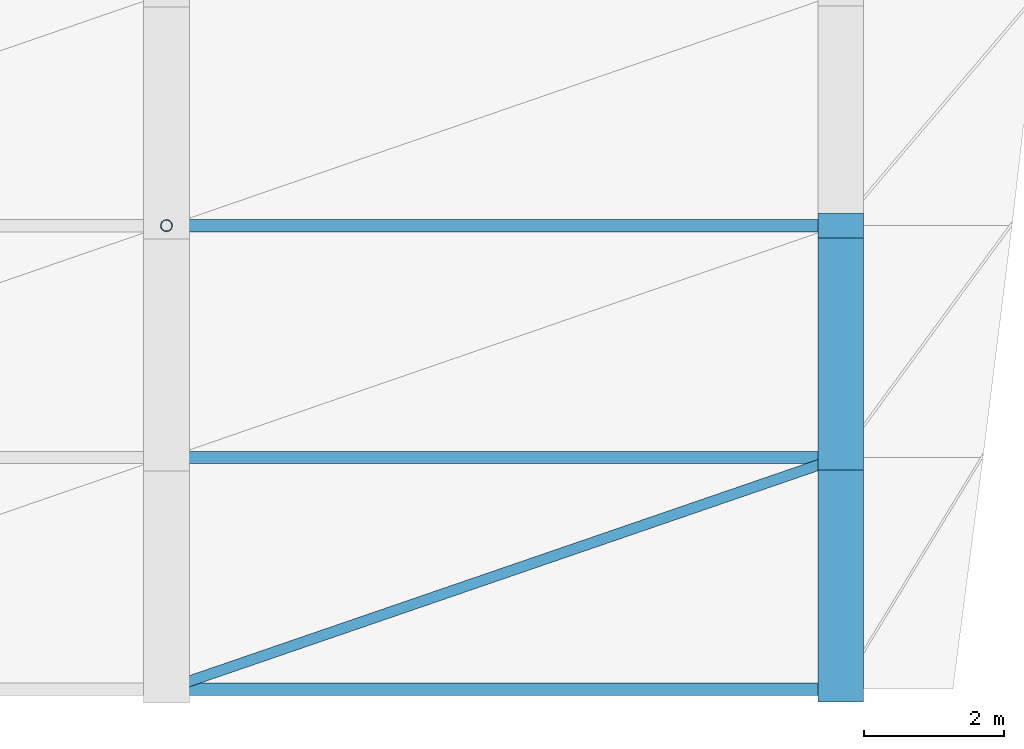
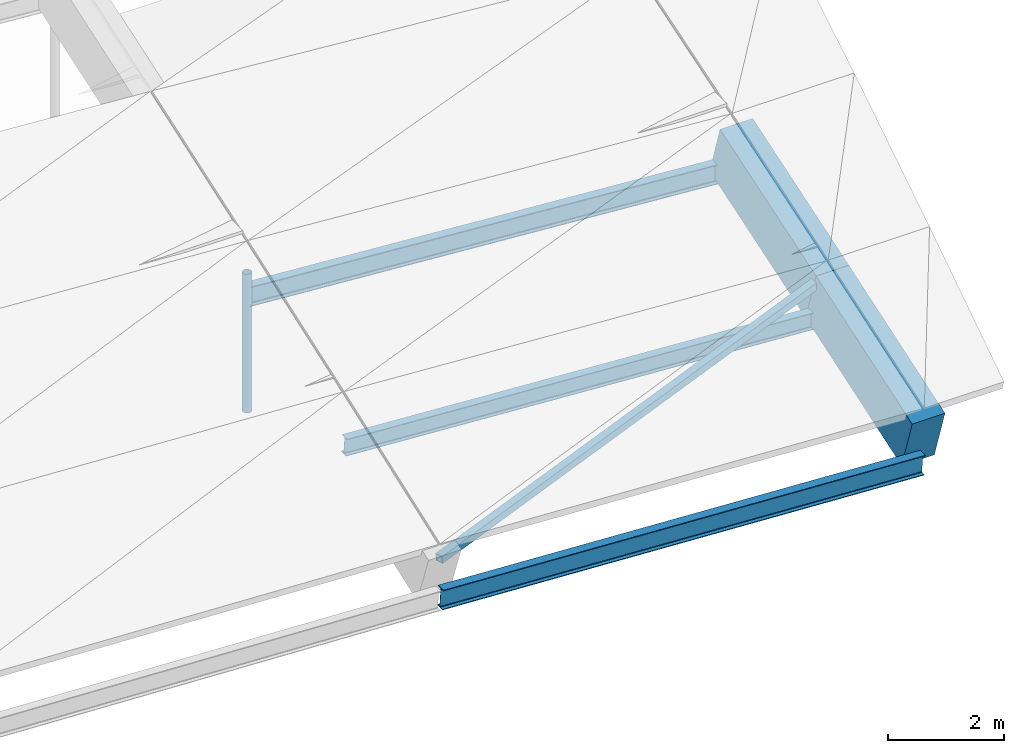
# One storey, part 28 of 43: 5 members, 2 beams.
"""IFC4 building model written with IfcOpenShell, lengths in metres."""

from ifc_helpers import new_model, si_unit, direction, frame, origin, origin_2d, place, context, subcontext, project, spatial, rectangle, hollow_rectangle, hollow_circle, i_section, extrude, material, material_profile, profile_set, type_object, element, save


model = new_model("IFC4")

# Units and contexts
model_context = context("Model", 3, precision=1e-05, world=origin(), true_north=direction((0.0, 1.0)))
body_context = subcontext(model_context, "Body", "Model", "MODEL_VIEW")
ifc_project = project(units=[si_unit("LENGTHUNIT", "METRE"), si_unit("AREAUNIT", "SQUARE_METRE"), si_unit("VOLUMEUNIT", "CUBIC_METRE"), si_unit("PLANEANGLEUNIT", "RADIAN"), si_unit("MASSUNIT", "GRAM", prefix="KILO")], contexts=[model_context])

# Site, building, storey
site_placement = place(None, origin())
site = spatial("IfcSite", under=ifc_project, at=site_placement, CompositionType="ELEMENT")
building_placement = place(site_placement, origin())
building = spatial("IfcBuilding", under=site, at=building_placement, Name="Chalmorin Arch Market", CompositionType="ELEMENT")
storey_placement = place(building_placement, frame((0.0, 0.0, 18.60009765625)))
storey = spatial("IfcBuildingStorey", under=building, at=storey_placement, Name="RF", CompositionType="ELEMENT", Elevation=18.60009765625)

# Member
ifc_material_1 = material(Name="Steel A500 Grade C", Category="steel")
ifc_material_profile_1 = material_profile(ifc_material_1, hollow_circle(Radius=0.084228515625, WallThickness=0.007080078125, at=origin_2d()), Name="CHS168X7")
ifc_profile_set_1 = profile_set([ifc_material_profile_1], Name="Steel A500 Grade C")
member_type_1 = type_object("IfcMemberType", Name="ArchHangerTie-CHS168", PredefinedType="CHORD", material=ifc_profile_set_1)
member_1_placement = place(storey_placement, frame((115.199951171875, 12.60009765625, -3.283447265625), z_axis=(0.0, 0.0, 1.0), x_axis=(1.0, 0.0, 0.0)))
element("IfcMember", 1, at=member_1_placement, inside=storey, type_object=member_type_1, Name="HT-CH168-0177", PredefinedType="CHORD", context=body_context, shape_type="SweptSolid", body=[
    extrude(hollow_circle(Radius=0.084228515625, WallThickness=0.007080078125, at=origin_2d()), origin(), (0.0, 0.0, 1.0), 2.90673828125),
])

# Beams
ifc_material_2 = material(Name="Concrete C50/60", Category="concrete")
ifc_material_profile_2 = material_profile(ifc_material_2, rectangle(XDim=0.64990234375, YDim=1.14990234375, at=origin_2d()), Name="RC650X1150")
ifc_profile_set_2 = profile_set([ifc_material_profile_2], Name="Concrete C50/60")
beam_type = type_object("IfcBeamType", Name="ArchRibChord-650x1150", PredefinedType="BEAM", material=ifc_profile_set_2)
beam_1_placement = place(storey_placement, frame((124.800048828125, 6.0, -3.25), z_axis=(0.0, 0.948592027555, 0.316501445903), x_axis=(-1.0, 0.0, 0.0)))
element("IfcBeam", 2, at=beam_1_placement, inside=storey, type_object=beam_type, Name="AR-01-1737", PredefinedType="BEAM", context=body_context, shape_type="SweptSolid", body=[
    extrude(rectangle(XDim=0.64990234375, YDim=1.14990234375, at=origin_2d()), origin(), (0.0, 0.0, 1.0), 3.47900390625),
])
beam_2_placement = place(storey_placement, frame((124.800048828125, 9.300048828125, -2.14892578125), z_axis=(0.0, 0.950765438131, 0.309911409366), x_axis=(-1.0, 0.0, 0.0)))
element("IfcBeam", 3, at=beam_2_placement, inside=storey, type_object=beam_type, Name="AR-01-1738", PredefinedType="BEAM", context=body_context, shape_type="SweptSolid", body=[
    extrude(rectangle(XDim=0.64990234375, YDim=1.14990234375, at=origin_2d()), origin(), (0.0, 0.0, 1.0), 3.470947265625),
])

# Members
ifc_material_3 = material(Name="Steel A992 Grade 50", Category="steel")
ifc_material_profile_3 = material_profile(ifc_material_3, i_section(OverallWidth=0.1708984375, OverallDepth=0.35107421875, WebThickness=0.0068359375, FlangeThickness=0.009765625, FilletRadius=0.014892578125, at=origin_2d()), Name="W14X30")
ifc_profile_set_3 = profile_set([ifc_material_profile_3], Name="Steel A992 Grade 50")
member_type_2 = type_object("IfcMemberType", Name="RoofSteelPurlin-W14X30", PredefinedType="PURLIN", material=ifc_profile_set_3)
member_2_placement = place(storey_placement, frame((115.219970703125, 9.300048828125, -2.021240234375), z_axis=(0.997985973277, 0.0, -0.063434983592), x_axis=(0.0, 1.0, 0.0)))
element("IfcMember", 4, at=member_2_placement, inside=storey, type_object=member_type_2, Name="PR-W14-0316", PredefinedType="PURLIN", context=body_context, shape_type="SweptSolid", body=[
    extrude(i_section(OverallWidth=0.1708984375, OverallDepth=0.35107421875, WebThickness=0.0068359375, FlangeThickness=0.009765625, FilletRadius=0.014892578125, at=origin_2d()), origin(), (0.0, 0.0, 1.0), 9.579345703125),
])
ifc_material_profile_4 = material_profile(ifc_material_3, i_section(OverallWidth=0.178955078125, OverallDepth=0.409912109375, WebThickness=0.0087890625, FlangeThickness=0.014404296875, FilletRadius=0.01806640625, at=origin_2d()), Name="W16X45")
ifc_profile_set_4 = profile_set([ifc_material_profile_4], Name="Steel A992 Grade 50")
member_type_3 = type_object("IfcMemberType", Name="RoofSteelPurlin-W16X45", PredefinedType="PURLIN", material=ifc_profile_set_4)
member_3_placement = place(storey_placement, frame((115.219970703125, 6.0, -3.21337890625), z_axis=(0.998543164632, 0.0, -0.053958765421), x_axis=(0.0, 1.0, 0.0)))
element("IfcMember", 5, at=member_3_placement, inside=storey, type_object=member_type_3, Name="PR-W16-0315", PredefinedType="PURLIN", context=body_context, shape_type="SweptSolid", body=[
    extrude(i_section(OverallWidth=0.178955078125, OverallDepth=0.409912109375, WebThickness=0.0087890625, FlangeThickness=0.014404296875, FilletRadius=0.01806640625, at=origin_2d()), origin(), (0.0, 0.0, 1.0), 9.573974609375),
])
member_4_placement = place(storey_placement, frame((115.219970703125, 12.60009765625, -0.856689453125), z_axis=(0.997356327314, 0.0, -0.072666060622), x_axis=(0.0, 1.0, 0.0)))
element("IfcMember", 6, at=member_4_placement, inside=storey, type_object=member_type_3, Name="PR-W16-0317", PredefinedType="PURLIN", context=body_context, shape_type="SweptSolid", body=[
    extrude(i_section(OverallWidth=0.178955078125, OverallDepth=0.409912109375, WebThickness=0.0087890625, FlangeThickness=0.014404296875, FilletRadius=0.01806640625, at=origin_2d()), origin(), (0.0, 0.0, 1.0), 9.58544921875),
])
ifc_material_profile_5 = material_profile(ifc_material_1, hollow_rectangle(XDim=0.15234375, YDim=0.15234375, WallThickness=0.0087890625, at=origin_2d()), Name="HSS6X6X3/8")
ifc_profile_set_5 = profile_set([ifc_material_profile_5], Name="Steel A500 Grade C")
member_type_4 = type_object("IfcMemberType", Name="VaultWindBrace-HSS6X6", PredefinedType="BRACE", material=ifc_profile_set_5)
member_5_placement = place(storey_placement, frame((115.199951171875, 6.0, -2.383544921875), z_axis=(0.944122593345, 0.32454364209, 0.057480023612), x_axis=(-0.325081112779, 0.945686137212, 0.0)))
element("IfcMember", 7, at=member_5_placement, inside=storey, type_object=member_type_4, Name="BR-HS6-0332", ObjectType="Diagonal brace", PredefinedType="BRACE", context=body_context, shape_type="SweptSolid", body=[
    extrude(hollow_rectangle(XDim=0.15234375, YDim=0.15234375, WallThickness=0.0087890625, at=origin_2d()), origin(), (0.0, 0.0, 1.0), 10.168212890625),
])

save(model, "model.ifc")
